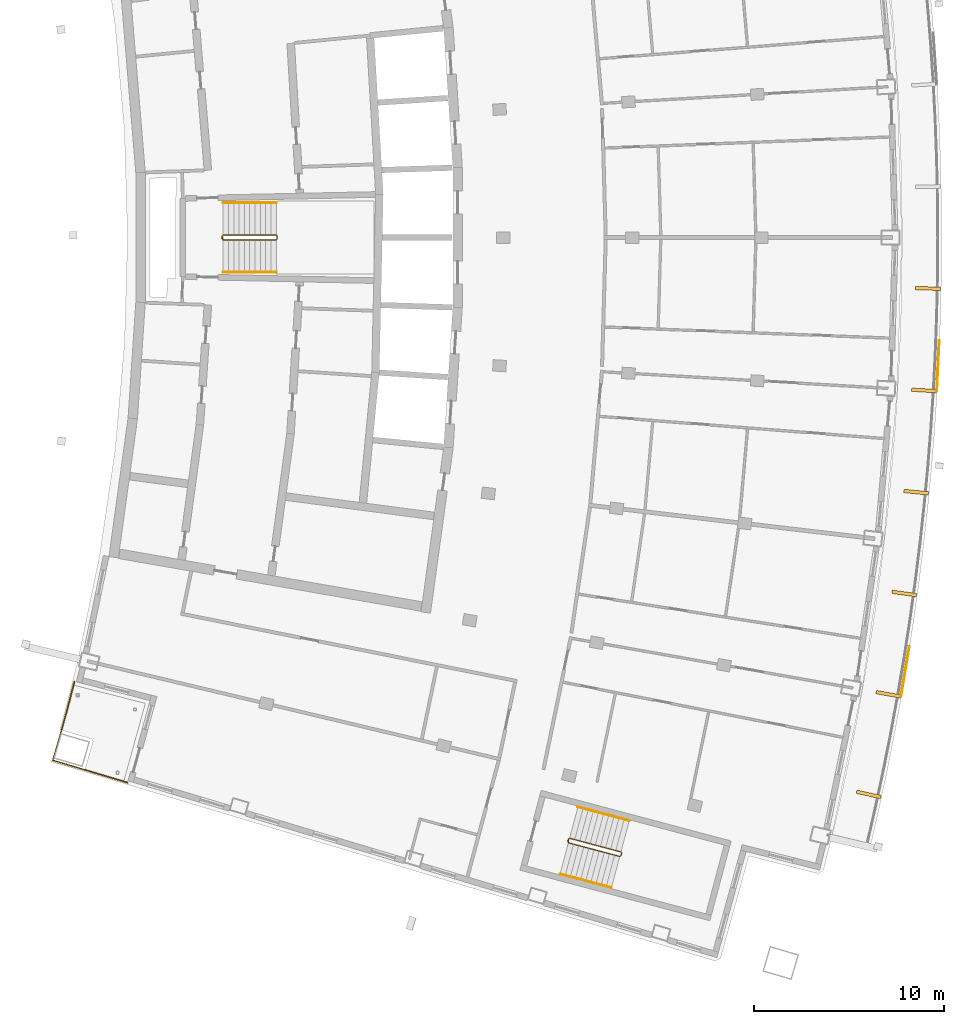
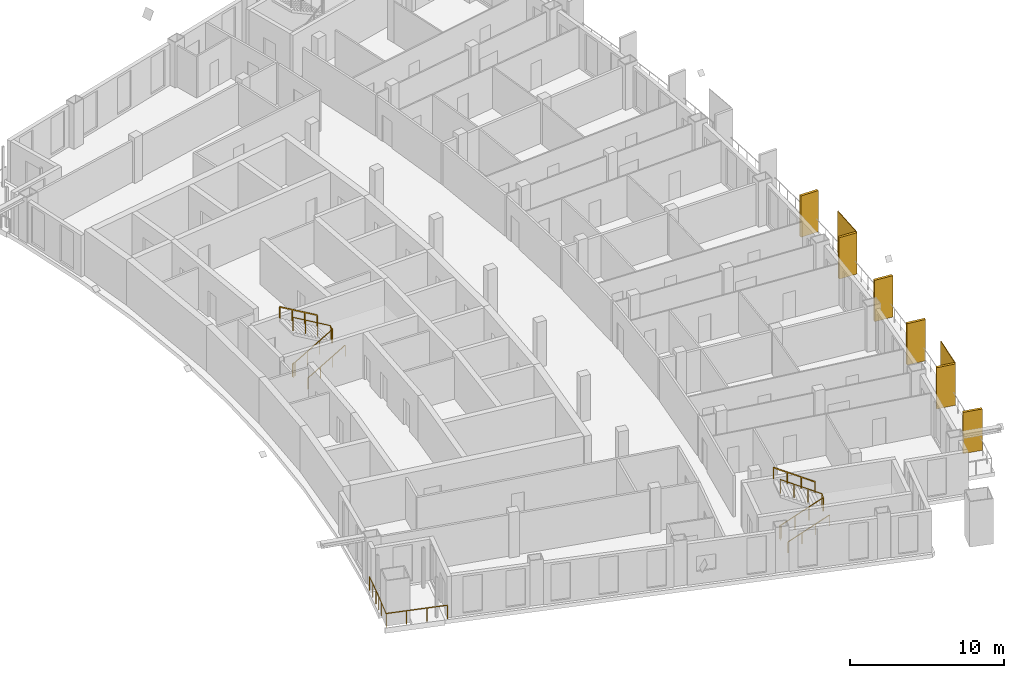
# One storey, part 15 of 17: 8 shading devices, 7 railings.
"""IFC4 building model written with IfcOpenShell, lengths in metres."""

from ifc_helpers import new_model, si_unit, direction, frame, origin, origin_with_axes, origin_2d, place, context, subcontext, project, spatial, rectangle, extrude, material, layer, layer_set, type_object, element, save


model = new_model("IFC4")

# Units and contexts
model_context = context("Model", 3, precision=1e-05, world=origin(), true_north=direction((0.0, 1.0)))
body_context = subcontext(model_context, "Body", "Model", "MODEL_VIEW")
ifc_project = project(units=[si_unit("LENGTHUNIT", "METRE"), si_unit("AREAUNIT", "SQUARE_METRE"), si_unit("VOLUMEUNIT", "CUBIC_METRE"), si_unit("PLANEANGLEUNIT", "RADIAN"), si_unit("MASSUNIT", "GRAM", prefix="KILO")], contexts=[model_context])

# Site, building, storey
site_placement = place(None, origin())
site = spatial("IfcSite", under=ifc_project, at=site_placement, CompositionType="ELEMENT")
building_placement = place(site_placement, origin())
building = spatial("IfcBuilding", under=site, at=building_placement, Name="Alderwake Tower", CompositionType="ELEMENT")
storey_placement = place(building_placement, frame((0.0, 0.0, 274.39990234375)))
storey = spatial("IfcBuildingStorey", under=building, at=storey_placement, Name="L68", CompositionType="ELEMENT", Elevation=274.39990234375)

# Railing
ifc_material_1 = material(Name="Stainless steel 316 rail and posts", Category="steel")
railing_type_1 = type_object("IfcRailingType", Name="Balcony guard 1100", PredefinedType="GUARDRAIL", material=ifc_material_1)
railing_1_placement = place(storey_placement, frame((13.210693359375, 37.612548828125, 0.0)))
element("IfcRailing", 1, at=railing_1_placement, inside=storey, type_object=railing_type_1, Name="Guard terrace RS", PredefinedType="GUARDRAIL", context=body_context, shape_type="SweptSolid", body=[
    extrude(rectangle(XDim=0.048095703125, YDim=0.048095703125, at=origin_2d()), frame((0.0, 0.0, 1.076171875), z_axis=(-0.251385381433, -0.967887075026, 0.0), x_axis=(0.967887075026, -0.251385381433, 0.0)), (0.0, 0.0, 1.0), 1.6015625),
    extrude(rectangle(XDim=0.048095703125, YDim=0.048095703125, at=origin_2d()), frame((-0.402587890625, -1.550048828125, 1.076171875), z_axis=(-0.266520638672, -0.963829211615, 0.0), x_axis=(0.963829211615, -0.266520638672, 0.0)), (0.0, 0.0, 1.0), 1.401611328125),
    extrude(rectangle(XDim=0.048095703125, YDim=0.048095703125, at=origin_2d()), frame((-0.776123046875, -2.90087890625, 1.076171875), z_axis=(-0.280093650878, -0.959972680204, 0.0), x_axis=(0.959972680204, -0.280093650878, 0.0)), (0.0, 0.0, 1.0), 1.30126953125),
    extrude(rectangle(XDim=0.048095703125, YDim=0.048095703125, at=origin_2d()), frame((-1.140625, -4.150146484375, 1.076171875), z_axis=(0.958066871889, -0.286544706789, 0.0), x_axis=(0.286544706789, 0.958066871889, 0.0)), (0.0, 0.0, 1.0), 4.099853515625),
    extrude(rectangle(XDim=0.0419921875, YDim=0.0419921875, at=origin_2d()), frame((0.0, 0.0, 0.0), z_axis=(0.0, 0.0, 1.0), x_axis=(-0.251385381433, -0.967887075026, 0.0)), (0.0, 0.0, 1.0), 1.052001953125),
    extrude(rectangle(XDim=0.0419921875, YDim=0.0419921875, at=origin_2d()), frame((-0.201171875, -0.77490234375, 0.0), z_axis=(0.0, 0.0, 1.0), x_axis=(-0.251385381433, -0.967887075026, 0.0)), (0.0, 0.0, 1.0), 1.052001953125),
    extrude(rectangle(XDim=0.0419921875, YDim=0.0419921875, at=origin_2d()), frame((-0.402587890625, -1.550048828125, 0.0), z_axis=(0.0, 0.0, 1.0), x_axis=(-0.266520638672, -0.963829211615, 0.0)), (0.0, 0.0, 1.0), 1.052001953125),
    extrude(rectangle(XDim=0.0419921875, YDim=0.0419921875, at=origin_2d()), frame((-0.58935546875, -2.2255859375, 0.0), z_axis=(0.0, 0.0, 1.0), x_axis=(-0.266520638672, -0.963829211615, 0.0)), (0.0, 0.0, 1.0), 1.052001953125),
    extrude(rectangle(XDim=0.0419921875, YDim=0.0419921875, at=origin_2d()), frame((-0.776123046875, -2.90087890625, 0.0), z_axis=(0.0, 0.0, 1.0), x_axis=(-0.280093650878, -0.959972680204, 0.0)), (0.0, 0.0, 1.0), 1.052001953125),
    extrude(rectangle(XDim=0.0419921875, YDim=0.0419921875, at=origin_2d()), frame((-1.140625, -4.150146484375, 0.0), z_axis=(0.0, 0.0, 1.0), x_axis=(0.958066871889, -0.286544706789, 0.0)), (0.0, 0.0, 1.0), 1.052001953125),
    extrude(rectangle(XDim=0.0419921875, YDim=0.0419921875, at=origin_2d()), frame((0.168701171875, -4.541748046875, 0.0), z_axis=(0.0, 0.0, 1.0), x_axis=(0.958066871889, -0.286544706789, 0.0)), (0.0, 0.0, 1.0), 1.052001953125),
    extrude(rectangle(XDim=0.0419921875, YDim=0.0419921875, at=origin_2d()), frame((1.47802734375, -4.933349609375, 0.0), z_axis=(0.0, 0.0, 1.0), x_axis=(0.958066871889, -0.286544706789, 0.0)), (0.0, 0.0, 1.0), 1.052001953125),
    extrude(rectangle(XDim=0.0419921875, YDim=0.0419921875, at=origin_2d()), frame((2.787353515625, -5.324951171875, 0.0), z_axis=(0.0, 0.0, 1.0), x_axis=(0.958066871889, -0.286544706789, 0.0)), (0.0, 0.0, 1.0), 1.052001953125),
])

# Shading devices
ifc_material_2 = material(Name="Bronze anodised aluminium", Category="aluminium")
ifc_layer_1 = layer(ifc_material_2, 0.179931640625)
ifc_layer_set_1 = layer_set([ifc_layer_1], Name="Facade fin 1300")
shading_device_type_1 = type_object("IfcShadingDeviceType", Name="Facade fin 1300", PredefinedType="USERDEFINED", material=ifc_layer_set_1)
for number, where, z_axis, x_axis, name in (
    (2, (55.050537109375, 31.663818359375, 0.0), (0.0, 0.0, 1.0), (0.977210363881, -0.212273184185, 0.0), "Fin"),
    (3, (56.089111328125, 36.938232421875, 0.0), (0.0, 0.0, 1.0), (0.984726421654, -0.174108800747, 0.0), "Fin"),
    (4, (56.922119140625, 42.2490234375, 0.0), (0.0, 0.0, 1.0), (0.990752577235, -0.135680988728, 0.0), "Fin"),
    (5, (57.547607421875, 47.588134765625, 0.0), (0.0, 0.0, 1.0), (0.995279882363, -0.097046152751, 0.0), "Fin"),
    (6, (57.965087890625, 52.947509765625, 0.0), (0.0, 0.0, 1.0), (0.998301080988, -0.058266214038, 0.0), "Fin"),
    (7, (58.174072265625, 58.319091796875, 0.0), (0.0, 0.0, 1.0), (0.999811838809, -0.019398117887, 0.0), "Fin"),
):
    element("IfcShadingDevice", number, at=place(storey_placement, frame(where, z_axis=z_axis, x_axis=x_axis)), inside=storey, type_object=shading_device_type_1, Name=name, ObjectType="FIN", PredefinedType="USERDEFINED", context=body_context, shape_type="SweptSolid", body=[
        extrude(rectangle(XDim=1.300048828125, YDim=0.179931640625, at=origin_2d()), origin(), (0.0, 0.0, 1.0), 3.280029296875),
    ])
ifc_material_3 = material(Name="Perforated bronze anodised aluminium", Category="aluminium")
ifc_layer_2 = layer(ifc_material_3, 0.050048828125)
ifc_layer_set_2 = layer_set([ifc_layer_2], Name="Perforated screen panel")
shading_device_type_2 = type_object("IfcShadingDeviceType", Name="Perforated screen panel", PredefinedType="USERDEFINED", material=ifc_layer_set_2)
for number, where, z_axis, x_axis, name in (
    (8, (56.9755859375, 38.1494140625, 0.0), (0.0, 0.0, 1.0), (0.986369013299, -0.164548380739, 0.0), "Screen panel"),
    (9, (58.70458984375, 54.253662109375, 0.0), (0.0, 0.0, 1.0), (0.998819231138, -0.048581308217, 0.0), "Screen panel"),
):
    element("IfcShadingDevice", number, at=place(storey_placement, frame(where, z_axis=z_axis, x_axis=x_axis)), inside=storey, type_object=shading_device_type_2, Name=name, ObjectType="SCREEN", PredefinedType="USERDEFINED", context=body_context, shape_type="SweptSolid", body=[
        extrude(rectangle(XDim=0.050048828125, YDim=2.694091796875, at=origin_2d()), origin(), (0.0, 0.0, 1.0), 3.280029296875),
    ])

# Railings
ifc_material_4 = material(Name="Stainless steel guard", Category="steel")
railing_type_2 = type_object("IfcRailingType", Name="Stair guard 1100", PredefinedType="GUARDRAIL", material=ifc_material_4)
railing_2_placement = place(storey_placement, frame((20.989990234375, 60.925048828125, 0.0)))
element("IfcRailing", 10, at=railing_2_placement, inside=storey, type_object=railing_type_2, Name="L68 ST-B stair guard 1", PredefinedType="GUARDRAIL", context=body_context, shape_type="SweptSolid", body=[
    extrude(rectangle(XDim=0.048095703125, YDim=0.048095703125, at=origin_2d()), frame((0.0, 0.0, 1.076171875), z_axis=(0.0, 1.0, 0.0), x_axis=(-1.0, 0.0, 0.0)), (0.0, 0.0, 1.0), 0.14990234375),
    extrude(rectangle(XDim=0.048095703125, YDim=0.048095703125, at=origin_2d()), frame((0.0, 0.14990234375, 1.076171875), z_axis=(0.190089865108, -0.759432192796, 0.622196582865), x_axis=(0.970072785993, 0.242814311512, 0.0)), (0.0, 0.0, 1.0), 0.26318359375),
    extrude(rectangle(XDim=0.048095703125, YDim=0.048095703125, at=origin_2d()), frame((0.050048828125, -0.050048828125, 1.23974609375), z_axis=(0.863393664356, 0.0, 0.504530851732), x_axis=(0.0, 1.0, 0.0)), (0.0, 0.0, 1.0), 3.2431640625),
    extrude(rectangle(XDim=0.048095703125, YDim=0.048095703125, at=origin_2d()), frame((2.85009765625, -0.050048828125, 2.8759765625), z_axis=(0.705375805398, 0.708833529934, 0.0), x_axis=(-0.708833529934, 0.705375805398, 0.0)), (0.0, 0.0, 1.0), 0.070556640625),
    extrude(rectangle(XDim=0.048095703125, YDim=0.048095703125, at=origin_2d()), frame((2.89990234375, 0.0, 2.8759765625), z_axis=(0.0, 1.0, 0.0), x_axis=(-1.0, 0.0, 0.0)), (0.0, 0.0, 1.0), 0.14990234375),
    extrude(rectangle(XDim=0.048095703125, YDim=0.048095703125, at=origin_2d()), frame((2.89990234375, 0.14990234375, 2.8759765625), z_axis=(-0.279546231943, 0.280916556609, 0.91811752648), x_axis=(-0.708833529934, -0.705375805398, 0.0)), (0.0, 0.0, 1.0), 0.17822265625),
    extrude(rectangle(XDim=0.048095703125, YDim=0.048095703125, at=origin_2d()), frame((2.85009765625, 0.199951171875, 3.03955078125), z_axis=(-0.863360870873, 0.0, 0.504586966384), x_axis=(0.0, -1.0, 0.0)), (0.0, 0.0, 1.0), 3.2431640625),
    extrude(rectangle(XDim=0.0419921875, YDim=0.0419921875, at=origin_2d()), frame((0.0, 0.0, 0.0), z_axis=(0.0, 0.0, 1.0), x_axis=(0.0, 1.0, 0.0)), (0.0, 0.0, 1.0), 1.052001953125),
    extrude(rectangle(XDim=0.0419921875, YDim=0.0419921875, at=origin_2d()), frame((0.0, 0.14990234375, 0.0), z_axis=(0.0, 0.0, 1.0), x_axis=(0.242814311512, -0.970072785993, 0.0)), (0.0, 0.0, 1.0), 1.052001953125),
    extrude(rectangle(XDim=0.0419921875, YDim=0.0419921875, at=origin_2d()), frame((0.050048828125, -0.050048828125, 0.163818359375), z_axis=(0.0, 0.0, 1.0), x_axis=(1.0, 0.0, 0.0)), (0.0, 0.0, 1.0), 1.052001953125),
    extrude(rectangle(XDim=0.0419921875, YDim=0.0419921875, at=origin_2d()), frame((0.9833984375, -0.050048828125, 0.709228515625), z_axis=(0.0, 0.0, 1.0), x_axis=(1.0, 0.0, 0.0)), (0.0, 0.0, 1.0), 1.052001953125),
    extrude(rectangle(XDim=0.0419921875, YDim=0.0419921875, at=origin_2d()), frame((1.916748046875, -0.050048828125, 1.254638671875), z_axis=(0.0, 0.0, 1.0), x_axis=(1.0, 0.0, 0.0)), (0.0, 0.0, 1.0), 1.052001953125),
    extrude(rectangle(XDim=0.0419921875, YDim=0.0419921875, at=origin_2d()), frame((2.85009765625, -0.050048828125, 1.800048828125), z_axis=(0.0, 0.0, 1.0), x_axis=(0.705375805398, 0.708833529934, 0.0)), (0.0, 0.0, 1.0), 1.052001953125),
    extrude(rectangle(XDim=0.0419921875, YDim=0.0419921875, at=origin_2d()), frame((2.89990234375, 0.0, 1.800048828125), z_axis=(0.0, 0.0, 1.0), x_axis=(0.0, 1.0, 0.0)), (0.0, 0.0, 1.0), 1.052001953125),
    extrude(rectangle(XDim=0.0419921875, YDim=0.0419921875, at=origin_2d()), frame((2.89990234375, 0.14990234375, 1.800048828125), z_axis=(0.0, 0.0, 1.0), x_axis=(-0.705375805398, 0.708833529934, 0.0)), (0.0, 0.0, 1.0), 1.052001953125),
    extrude(rectangle(XDim=0.0419921875, YDim=0.0419921875, at=origin_2d()), frame((2.85009765625, 0.199951171875, 1.963623046875), z_axis=(0.0, 0.0, 1.0), x_axis=(-1.0, 0.0, 0.0)), (0.0, 0.0, 1.0), 1.052001953125),
    extrude(rectangle(XDim=0.0419921875, YDim=0.0419921875, at=origin_2d()), frame((1.916748046875, 0.199951171875, 2.509033203125), z_axis=(0.0, 0.0, 1.0), x_axis=(-1.0, 0.0, 0.0)), (0.0, 0.0, 1.0), 1.052001953125),
    extrude(rectangle(XDim=0.0419921875, YDim=0.0419921875, at=origin_2d()), frame((0.9833984375, 0.199951171875, 3.0546875), z_axis=(0.0, 0.0, 1.0), x_axis=(-1.0, 0.0, 0.0)), (0.0, 0.0, 1.0), 1.052001953125),
    extrude(rectangle(XDim=0.0419921875, YDim=0.0419921875, at=origin_2d()), frame((0.050048828125, 0.199951171875, 3.60009765625), z_axis=(0.0, 0.0, 1.0), x_axis=(-1.0, 0.0, 0.0)), (0.0, 0.0, 1.0), 1.052001953125),
])
railing_3_placement = place(storey_placement, frame((39.1943359375, 29.17431640625, 0.0)))
element("IfcRailing", 11, at=railing_3_placement, inside=storey, type_object=railing_type_2, Name="L68 ST-C stair guard 1", PredefinedType="GUARDRAIL", context=body_context, shape_type="SweptSolid", body=[
    extrude(rectangle(XDim=0.048095703125, YDim=0.048095703125, at=origin_2d()), frame((0.0, 0.0, 1.076171875), z_axis=(0.257459803502, 0.966289009345, 0.0), x_axis=(-0.966289009345, 0.257459803502, 0.0)), (0.0, 0.0, 1.0), 0.14990234375),
    extrude(rectangle(XDim=0.048095703125, YDim=0.048095703125, at=origin_2d()), frame((0.03857421875, 0.144775390625, 1.076171875), z_axis=(-0.012055935761, -0.782708444821, 0.622271761226), x_axis=(0.999881397308, -0.015401016783, 0.0)), (0.0, 0.0, 1.0), 0.26318359375),
    extrude(rectangle(XDim=0.048095703125, YDim=0.048095703125, at=origin_2d()), frame((0.035400390625, -0.061279296875, 1.23974609375), z_axis=(0.834313512087, -0.222222637163, 0.504517653885), x_axis=(0.257380452725, 0.966310148221, 0.0)), (0.0, 0.0, 1.0), 3.2431640625),
    extrude(rectangle(XDim=0.048095703125, YDim=0.048095703125, at=origin_2d()), frame((2.7412109375, -0.781982421875, 2.8759765625), z_axis=(0.865031189262, 0.501718089772, 0.0), x_axis=(-0.501718089772, 0.865031189262, 0.0)), (0.0, 0.0, 1.0), 0.070556640625),
    extrude(rectangle(XDim=0.048095703125, YDim=0.048095703125, at=origin_2d()), frame((2.80224609375, -0.74658203125, 2.8759765625), z_axis=(0.257055032184, 0.966396766566, 0.0), x_axis=(-0.966396766566, 0.257055032184, 0.0)), (0.0, 0.0, 1.0), 0.150146484375),
    extrude(rectangle(XDim=0.048095703125, YDim=0.048095703125, at=origin_2d()), frame((2.8408203125, -0.6015625, 2.8759765625), z_axis=(-0.198625291617, 0.343827228937, 0.91778583023), x_axis=(-0.865898279276, -0.500220121494, 0.0)), (0.0, 0.0, 1.0), 0.17822265625),
    extrude(rectangle(XDim=0.048095703125, YDim=0.048095703125, at=origin_2d()), frame((2.805419921875, -0.540283203125, 3.03955078125), z_axis=(-0.834258940753, 0.22222815314, 0.504605457487), x_axis=(-0.257402139082, -0.966304371715, 0.0)), (0.0, 0.0, 1.0), 3.2431640625),
    extrude(rectangle(XDim=0.0419921875, YDim=0.0419921875, at=origin_2d()), frame((0.0, 0.0, 0.0), z_axis=(0.0, 0.0, 1.0), x_axis=(0.257459803502, 0.966289009345, 0.0)), (0.0, 0.0, 1.0), 1.052001953125),
    extrude(rectangle(XDim=0.0419921875, YDim=0.0419921875, at=origin_2d()), frame((0.03857421875, 0.144775390625, 0.0), z_axis=(0.0, 0.0, 1.0), x_axis=(-0.015401016783, -0.999881397308, 0.0)), (0.0, 0.0, 1.0), 1.052001953125),
    extrude(rectangle(XDim=0.0419921875, YDim=0.0419921875, at=origin_2d()), frame((0.035400390625, -0.061279296875, 0.163818359375), z_axis=(0.0, 0.0, 1.0), x_axis=(0.966310148221, -0.257380452725, 0.0)), (0.0, 0.0, 1.0), 1.052001953125),
    extrude(rectangle(XDim=0.0419921875, YDim=0.0419921875, at=origin_2d()), frame((0.937255859375, -0.301513671875, 0.709228515625), z_axis=(0.0, 0.0, 1.0), x_axis=(0.966310148221, -0.257380452725, 0.0)), (0.0, 0.0, 1.0), 1.052001953125),
    extrude(rectangle(XDim=0.0419921875, YDim=0.0419921875, at=origin_2d()), frame((1.83935546875, -0.541748046875, 1.254638671875), z_axis=(0.0, 0.0, 1.0), x_axis=(0.966310148221, -0.257380452725, 0.0)), (0.0, 0.0, 1.0), 1.052001953125),
    extrude(rectangle(XDim=0.0419921875, YDim=0.0419921875, at=origin_2d()), frame((2.7412109375, -0.781982421875, 1.800048828125), z_axis=(0.0, 0.0, 1.0), x_axis=(0.865031189262, 0.501718089772, 0.0)), (0.0, 0.0, 1.0), 1.052001953125),
    extrude(rectangle(XDim=0.0419921875, YDim=0.0419921875, at=origin_2d()), frame((2.80224609375, -0.74658203125, 1.800048828125), z_axis=(0.0, 0.0, 1.0), x_axis=(0.257055032184, 0.966396766566, 0.0)), (0.0, 0.0, 1.0), 1.052001953125),
    extrude(rectangle(XDim=0.0419921875, YDim=0.0419921875, at=origin_2d()), frame((2.8408203125, -0.6015625, 1.800048828125), z_axis=(0.0, 0.0, 1.0), x_axis=(-0.500220121494, 0.865898279276, 0.0)), (0.0, 0.0, 1.0), 1.052001953125),
    extrude(rectangle(XDim=0.0419921875, YDim=0.0419921875, at=origin_2d()), frame((2.805419921875, -0.540283203125, 1.963623046875), z_axis=(0.0, 0.0, 1.0), x_axis=(-0.966304371715, 0.257402139082, 0.0)), (0.0, 0.0, 1.0), 1.052001953125),
    extrude(rectangle(XDim=0.0419921875, YDim=0.0419921875, at=origin_2d()), frame((1.903564453125, -0.300048828125, 2.509033203125), z_axis=(0.0, 0.0, 1.0), x_axis=(-0.966304371715, 0.257402139082, 0.0)), (0.0, 0.0, 1.0), 1.052001953125),
    extrude(rectangle(XDim=0.0419921875, YDim=0.0419921875, at=origin_2d()), frame((1.001708984375, -0.059814453125, 3.0546875), z_axis=(0.0, 0.0, 1.0), x_axis=(-0.966304371715, 0.257402139082, 0.0)), (0.0, 0.0, 1.0), 1.052001953125),
    extrude(rectangle(XDim=0.0419921875, YDim=0.0419921875, at=origin_2d()), frame((0.099853515625, 0.180419921875, 3.60009765625), z_axis=(0.0, 0.0, 1.0), x_axis=(-0.966304371715, 0.257402139082, 0.0)), (0.0, 0.0, 1.0), 1.052001953125),
])
ifc_material_5 = material(Name="Stainless steel handrail", Category="steel")
railing_type_3 = type_object("IfcRailingType", Name="Stair handrail 900", PredefinedType="HANDRAIL", material=ifc_material_5)
railing_4_placement = place(storey_placement, frame((21.0400390625, 59.175048828125, 0.163818359375)))
element("IfcRailing", 12, at=railing_4_placement, inside=storey, type_object=railing_type_3, Name="L68 ST-B stair handrail 1", PredefinedType="HANDRAIL", context=body_context, shape_type="SweptSolid", body=[
    extrude(rectangle(XDim=0.048095703125, YDim=0.048095703125, at=origin_2d()), frame((0.0, 0.0, 0.8759765625), z_axis=(0.863393664356, 0.0, 0.504530851732), x_axis=(0.0, 1.0, 0.0)), (0.0, 0.0, 1.0), 3.2431640625),
    extrude(rectangle(XDim=0.0419921875, YDim=0.0419921875, at=origin_2d()), origin_with_axes(), (0.0, 0.0, 1.0), 0.851806640625),
    extrude(rectangle(XDim=0.0419921875, YDim=0.0419921875, at=origin_2d()), frame((0.933349609375, 0.0, 0.54541015625), z_axis=(0.0, 0.0, 1.0), x_axis=(1.0, 0.0, 0.0)), (0.0, 0.0, 1.0), 0.851806640625),
    extrude(rectangle(XDim=0.0419921875, YDim=0.0419921875, at=origin_2d()), frame((1.86669921875, 0.0, 1.0908203125), z_axis=(0.0, 0.0, 1.0), x_axis=(1.0, 0.0, 0.0)), (0.0, 0.0, 1.0), 0.851806640625),
    extrude(rectangle(XDim=0.0419921875, YDim=0.0419921875, at=origin_2d()), frame((2.800048828125, 0.0, 1.63623046875), z_axis=(0.0, 0.0, 1.0), x_axis=(1.0, 0.0, 0.0)), (0.0, 0.0, 1.0), 0.851806640625),
])
railing_5_placement = place(storey_placement, frame((23.840087890625, 62.824951171875, 1.963623046875)))
element("IfcRailing", 13, at=railing_5_placement, inside=storey, type_object=railing_type_3, Name="L68 ST-B stair handrail 2", PredefinedType="HANDRAIL", context=body_context, shape_type="SweptSolid", body=[
    extrude(rectangle(XDim=0.048095703125, YDim=0.048095703125, at=origin_2d()), frame((0.0, 0.0, 0.8759765625), z_axis=(-0.863360870873, 0.0, 0.504586966384), x_axis=(0.0, -1.0, 0.0)), (0.0, 0.0, 1.0), 3.2431640625),
    extrude(rectangle(XDim=0.0419921875, YDim=0.0419921875, at=origin_2d()), frame((0.0, 0.0, 0.0), z_axis=(0.0, 0.0, 1.0), x_axis=(-1.0, 0.0, 0.0)), (0.0, 0.0, 1.0), 0.851806640625),
    extrude(rectangle(XDim=0.0419921875, YDim=0.0419921875, at=origin_2d()), frame((-0.933349609375, 0.0, 0.54541015625), z_axis=(0.0, 0.0, 1.0), x_axis=(-1.0, 0.0, 0.0)), (0.0, 0.0, 1.0), 0.851806640625),
    extrude(rectangle(XDim=0.0419921875, YDim=0.0419921875, at=origin_2d()), frame((-1.86669921875, 0.0, 1.091064453125), z_axis=(0.0, 0.0, 1.0), x_axis=(-1.0, 0.0, 0.0)), (0.0, 0.0, 1.0), 0.851806640625),
    extrude(rectangle(XDim=0.0419921875, YDim=0.0419921875, at=origin_2d()), frame((-2.800048828125, 0.0, 1.636474609375), z_axis=(0.0, 0.0, 1.0), x_axis=(-1.0, 0.0, 0.0)), (0.0, 0.0, 1.0), 0.851806640625),
])
railing_6_placement = place(storey_placement, frame((38.792236328125, 27.47021484375, 0.163818359375)))
element("IfcRailing", 14, at=railing_6_placement, inside=storey, type_object=railing_type_3, Name="L68 ST-C stair handrail 1", PredefinedType="HANDRAIL", context=body_context, shape_type="SweptSolid", body=[
    extrude(rectangle(XDim=0.048095703125, YDim=0.048095703125, at=origin_2d()), frame((0.0, 0.0, 0.8759765625), z_axis=(0.834304587439, -0.222165027751, 0.504557782442), x_axis=(0.25732071773, 0.966326056891, 0.0)), (0.0, 0.0, 1.0), 3.242919921875),
    extrude(rectangle(XDim=0.0419921875, YDim=0.0419921875, at=origin_2d()), frame((0.0, 0.0, 0.0), z_axis=(0.0, 0.0, 1.0), x_axis=(0.966326056891, -0.25732071773, 0.0)), (0.0, 0.0, 1.0), 0.851806640625),
    extrude(rectangle(XDim=0.0419921875, YDim=0.0419921875, at=origin_2d()), frame((0.90185546875, -0.240234375, 0.54541015625), z_axis=(0.0, 0.0, 1.0), x_axis=(0.966326056891, -0.25732071773, 0.0)), (0.0, 0.0, 1.0), 0.851806640625),
    extrude(rectangle(XDim=0.0419921875, YDim=0.0419921875, at=origin_2d()), frame((1.8037109375, -0.480224609375, 1.0908203125), z_axis=(0.0, 0.0, 1.0), x_axis=(0.966326056891, -0.25732071773, 0.0)), (0.0, 0.0, 1.0), 0.851806640625),
    extrude(rectangle(XDim=0.0419921875, YDim=0.0419921875, at=origin_2d()), frame((2.70556640625, -0.720458984375, 1.63623046875), z_axis=(0.0, 0.0, 1.0), x_axis=(0.966326056891, -0.25732071773, 0.0)), (0.0, 0.0, 1.0), 0.851806640625),
])
railing_7_placement = place(storey_placement, frame((42.437255859375, 30.276611328125, 1.963623046875)))
element("IfcRailing", 15, at=railing_7_placement, inside=storey, type_object=railing_type_3, Name="L68 ST-C stair handrail 2", PredefinedType="HANDRAIL", context=body_context, shape_type="SweptSolid", body=[
    extrude(rectangle(XDim=0.048095703125, YDim=0.048095703125, at=origin_2d()), frame((0.0, 0.0, 0.8759765625), z_axis=(-0.834258940753, 0.22222815314, 0.504605457487), x_axis=(-0.257402139082, -0.966304371715, 0.0)), (0.0, 0.0, 1.0), 3.2431640625),
    extrude(rectangle(XDim=0.0419921875, YDim=0.0419921875, at=origin_2d()), frame((0.0, 0.0, 0.0), z_axis=(0.0, 0.0, 1.0), x_axis=(-0.966304371715, 0.257402139082, 0.0)), (0.0, 0.0, 1.0), 0.851806640625),
    extrude(rectangle(XDim=0.0419921875, YDim=0.0419921875, at=origin_2d()), frame((-0.90185546875, 0.240234375, 0.54541015625), z_axis=(0.0, 0.0, 1.0), x_axis=(-0.966304371715, 0.257402139082, 0.0)), (0.0, 0.0, 1.0), 0.851806640625),
    extrude(rectangle(XDim=0.0419921875, YDim=0.0419921875, at=origin_2d()), frame((-1.8037109375, 0.48046875, 1.091064453125), z_axis=(0.0, 0.0, 1.0), x_axis=(-0.966304371715, 0.257402139082, 0.0)), (0.0, 0.0, 1.0), 0.851806640625),
    extrude(rectangle(XDim=0.0419921875, YDim=0.0419921875, at=origin_2d()), frame((-2.70556640625, 0.720703125, 1.636474609375), z_axis=(0.0, 0.0, 1.0), x_axis=(-0.966304371715, 0.257402139082, 0.0)), (0.0, 0.0, 1.0), 0.851806640625),
])

save(model, "model.ifc")
